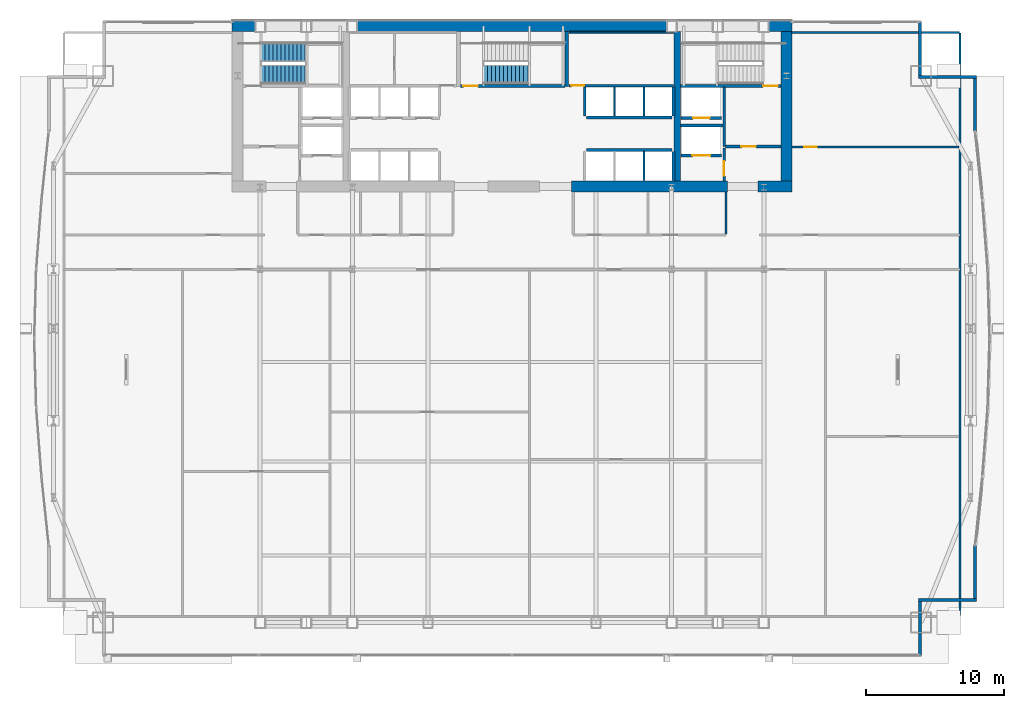
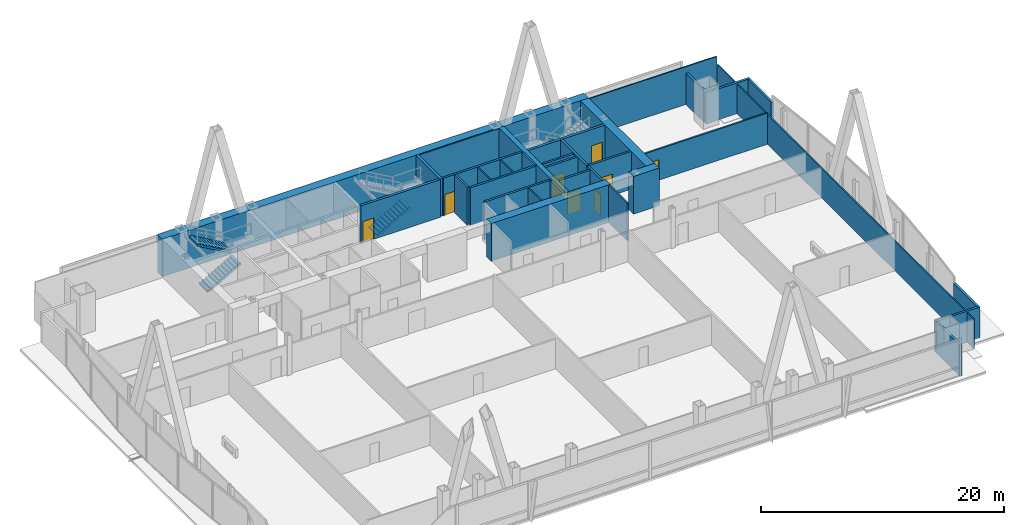
# One storey, part 29 of 32: 34 walls, 8 doors, 3 stair flights, 8 openings, 2 elements without a shape of their own.
"""IFC4 building model written with IfcOpenShell, lengths in metres."""

from ifc_helpers import new_model, si_unit, direction, frame, frame_2d, origin, place, context, subcontext, project, spatial, polyline, rectangle, outline, extrude, material, layer, layer_set, type_object, element, fill, aggregate, save


model = new_model("IFC4")

# Units and contexts
model_context = context("Model", 3, precision=1e-05, world=origin(), true_north=direction((0.0, 1.0)))
body_context = subcontext(model_context, "Body", "Model", "MODEL_VIEW")
ifc_project = project(units=[si_unit("LENGTHUNIT", "METRE"), si_unit("AREAUNIT", "SQUARE_METRE"), si_unit("VOLUMEUNIT", "CUBIC_METRE"), si_unit("PLANEANGLEUNIT", "RADIAN"), si_unit("MASSUNIT", "GRAM", prefix="KILO")], contexts=[model_context])

# Site, building, storey
site_placement = place(None, origin())
site = spatial("IfcSite", under=ifc_project, at=site_placement, CompositionType="ELEMENT")
building_placement = place(site_placement, origin())
building = spatial("IfcBuilding", under=site, at=building_placement, Name="Khoronbel Lancet Exchange", CompositionType="ELEMENT")
storey_placement = place(building_placement, frame((0.0, 0.0, 81.800048828125)))
storey = spatial("IfcBuildingStorey", under=building, at=storey_placement, Name="L19", CompositionType="ELEMENT", Elevation=81.800048828125)

# Walls
ifc_material_1 = material(Name="Concrete C80/95", Category="concrete")
ifc_layer_1 = layer(ifc_material_1, 0.800048828125, Name="Concrete C80/95")
ifc_layer_set_1 = layer_set([ifc_layer_1], Name="Concrete C80/95")
wall_type_1 = type_object("IfcWallType", Name="WL-CW1", PredefinedType="SHEAR", material=ifc_layer_set_1)
wall_1_placement = place(storey_placement, frame((16.199951171875, 53.300048828125, 0.0), z_axis=(0.0, 0.0, 1.0), x_axis=(1.0, 0.0, 0.0)))
element("IfcWall", 1, at=wall_1_placement, inside=storey, type_object=wall_type_1, Name="Level L19 rear core north shear wall", PredefinedType="SHEAR", context=body_context, shape_type="SweptSolid", body=[
    extrude(rectangle(XDim=40.5, YDim=0.800048828125, at=frame_2d((20.25, 0.0))), origin(), (0.0, 0.0, 1.0), 3.780029296875),
])
wall_2_placement = place(storey_placement, frame((56.300048828125, 52.89990234375, 0.0), z_axis=(0.0, 0.0, 1.0), x_axis=(0.0, -1.0, 0.0)))
element("IfcWall", 2, at=wall_2_placement, inside=storey, type_object=wall_type_1, Name="Level L19 rear core east shear wall", PredefinedType="SHEAR", context=body_context, shape_type="SweptSolid", body=[
    extrude(rectangle(XDim=10.7998046875, YDim=0.800048828125, at=frame_2d((5.39990234375, 0.0))), origin(), (0.0, 0.0, 1.0), 3.780029296875),
])
wall_3_placement = place(storey_placement, frame((52.050048828125, 41.699951171875, 0.0), z_axis=(0.0, 0.0, 1.0), x_axis=(-1.0, 0.0, 0.0)))
element("IfcWall", 3, at=wall_3_placement, inside=storey, type_object=wall_type_1, Name="Level L19 rear core south shear wall pier P4", PredefinedType="SHEAR", context=body_context, shape_type="SweptSolid", body=[
    extrude(rectangle(XDim=11.300048828125, YDim=0.800048828125, at=frame_2d((5.64990234375, 0.0))), origin(), (0.0, 0.0, 1.0), 3.780029296875),
])
wall_4_placement = place(storey_placement, frame((56.699951171875, 41.699951171875, 0.0), z_axis=(0.0, 0.0, 1.0), x_axis=(-1.0, 0.0, 0.0)))
element("IfcWall", 4, at=wall_4_placement, inside=storey, type_object=wall_type_1, Name="Level L19 rear core south shear wall pier P5", PredefinedType="SHEAR", context=body_context, shape_type="SweptSolid", body=[
    extrude(rectangle(XDim=2.449951171875, YDim=0.800048828125, at=frame_2d((1.22509765625, 0.0))), origin(), (0.0, 0.0, 1.0), 3.780029296875),
])
ifc_material_2 = material(Name="Precast concrete C40/50", Category="concrete")
ifc_layer_2 = layer(ifc_material_2, 0.25, Name="Precast concrete C40/50")
ifc_layer_set_2 = layer_set([ifc_layer_2], Name="Precast concrete C40/50")
wall_type_2 = type_object("IfcWallType", Name="WL-EXT250", PredefinedType="SOLIDWALL", material=ifc_layer_set_2)
wall_5_placement = place(storey_placement, frame((65.9599609375, 53.6298828125, 0.0), z_axis=(0.0, 0.0, 1.0), x_axis=(0.0, -1.0, 0.0)))
element("IfcWall", 5, at=wall_5_placement, inside=storey, type_object=wall_type_2, Name="Level L19 notched-corner limestone pier 14", PredefinedType="SOLIDWALL", context=body_context, shape_type="SweptSolid", body=[
    extrude(rectangle(XDim=3.909912109375, YDim=0.219970703125, at=frame_2d((1.955078125, 0.0))), origin(), (0.0, 0.0, 1.0), 3.119873046875),
])
wall_6_placement = place(storey_placement, frame((65.85009765625, 49.610107421875, 0.0), z_axis=(0.0, 0.0, 1.0), x_axis=(1.0, 0.0, 0.0)))
element("IfcWall", 6, at=wall_6_placement, inside=storey, type_object=wall_type_2, Name="Level L19 notched-corner limestone pier 15", PredefinedType="SOLIDWALL", context=body_context, shape_type="SweptSolid", body=[
    extrude(rectangle(XDim=4.219970703125, YDim=0.219970703125, at=frame_2d((2.10986328125, 0.0))), origin(), (0.0, 0.0, 1.0), 3.119873046875),
])
for number, where, z_axis, x_axis, name in (
    (7, (69.9599609375, 49.5, 0.0), (0.0, 0.0, 1.0), (0.0, -1.0, 0.0), "Level L19 notched-corner limestone pier 16"),
    (8, (69.9599609375, 15.724609375, 0.0), (0.0, 0.0, 1.0), (0.0, -1.0, 0.0), "Level L19 notched-corner limestone pier 23"),
):
    element("IfcWall", number, at=place(storey_placement, frame(where, z_axis=z_axis, x_axis=x_axis)), inside=storey, type_object=wall_type_2, Name=name, PredefinedType="SOLIDWALL", context=body_context, shape_type="SweptSolid", body=[
        extrude(rectangle(XDim=3.82470703125, YDim=0.219970703125, at=frame_2d((1.912353515625, 0.0))), origin(), (0.0, 0.0, 1.0), 3.119873046875),
    ])
wall_7_placement = place(storey_placement, frame((70.070068359375, 11.7900390625, 0.0), z_axis=(0.0, 0.0, 1.0), x_axis=(-1.0, 0.0, 0.0)))
element("IfcWall", 9, at=wall_7_placement, inside=storey, type_object=wall_type_2, Name="Level L19 notched-corner limestone pier 24", PredefinedType="SOLIDWALL", context=body_context, shape_type="SweptSolid", body=[
    extrude(rectangle(XDim=4.219970703125, YDim=0.219970703125, at=frame_2d((2.10986328125, 0.0))), origin(), (0.0, 0.0, 1.0), 3.119873046875),
])
wall_8_placement = place(storey_placement, frame((65.9599609375, 11.679931640625, 0.0), z_axis=(0.0, 0.0, 1.0), x_axis=(0.0, -1.0, 0.0)))
element("IfcWall", 10, at=wall_8_placement, inside=storey, type_object=wall_type_2, Name="Level L19 notched-corner limestone pier 25", PredefinedType="SOLIDWALL", context=body_context, shape_type="SweptSolid", body=[
    extrude(rectangle(XDim=3.909912109375, YDim=0.219970703125, at=frame_2d((1.955078125, 0.0))), origin(), (0.0, 0.0, 1.0), 3.119873046875),
])
ifc_material_3 = material(Name="Acoustic Metal-Stud & Mineral-Wool Gypsum Partition 120 mm", Category="gypsum")
ifc_layer_3 = layer(ifc_material_3, 0.1201171875, Name="Acoustic Metal-Stud & Mineral-Wool Gypsum Partition 120 mm")
ifc_layer_set_3 = layer_set([ifc_layer_3], Name="Acoustic Metal-Stud & Mineral-Wool Gypsum Partition 120 mm")
wall_type_3 = type_object("IfcWallType", Name="WL-PRT120", PredefinedType="PARTITIONING", material=ifc_layer_set_3)
wall_9_placement = place(storey_placement, frame((51.949951171875, 38.280029296875, 0.0), z_axis=(0.0, 0.0, 1.0), x_axis=(0.0, 1.0, 0.0)))
element("IfcWall", 11, at=wall_9_placement, inside=storey, type_object=wall_type_3, Name="Level L19 interior partition PW-NP-1", PredefinedType="PARTITIONING", context=body_context, shape_type="SweptSolid", body=[
    extrude(rectangle(XDim=3.02001953125, YDim=0.14990234375, at=frame_2d((1.510009765625, 0.0))), origin(), (0.0, 0.0, 1.0), 3.780029296875),
])

# Wall, opening, door
wall_10_placement = place(storey_placement, frame((56.699951171875, 44.56005859375, 0.0), z_axis=(0.0, 0.0, 1.0), x_axis=(1.0, 0.0, 0.0)))
wall_10 = element("IfcWall", 12, at=wall_10_placement, inside=storey, type_object=wall_type_3, Name="Level L19 interior partition PW-NE-H", PredefinedType="PARTITIONING", context=body_context, shape_type="SweptSolid", body=[
    extrude(rectangle(XDim=12.10498046875, YDim=0.14990234375, at=frame_2d((6.052490234375, 0.0))), origin(), (0.0, 0.0, 1.0), 3.119873046875),
])
opening_1_placement = place(wall_10_placement, frame((0.89990234375, 0.0, 0.0)))
opening_1 = element("IfcOpeningElement", 13, at=opening_1_placement, cuts=wall_10, Name="Opening D5", PredefinedType="OPENING", context=body_context, shape_type="SweptSolid", body=[
    extrude(rectangle(XDim=0.89990234375, YDim=2.050048828125, at=frame_2d((0.449951171875, 1.02490234375))), frame((0.0, 0.0849609375, 0.0), z_axis=(0.0, -1.0, 0.0), x_axis=(1.0, 0.0, 0.0)), (0.0, 0.0, 1.0), 0.169921875),
])
ifc_material_4 = material(Name="Acoustic Timber Pantry & Support Door", Category="wood")
door_type_1 = type_object("IfcDoorType", Name="DR-D5", OperationType="NOTDEFINED", PredefinedType="DOOR", material=ifc_material_4)
door_1_placement = place(opening_1_placement, origin())
door_1 = element("IfcDoor", 14, at=door_1_placement, inside=storey, type_object=door_type_1, Name="NE north room door L19-1", OperationType="SINGLE_SWING_RIGHT", OverallHeight=2.050048828125, OverallWidth=0.89990234375, PredefinedType="DOOR", context=body_context, shape_type="SweptSolid", body=[
    extrude(rectangle(XDim=0.89990234375, YDim=2.050048828125, at=frame_2d((0.449951171875, 1.02490234375))), frame((0.0, 0.02490234375, 0.0), z_axis=(0.0, -1.0, 0.0), x_axis=(1.0, 0.0, 0.0)), (0.0, 0.0, 1.0), 0.050048828125),
])
fill(opening_1, door_1)

# Walls
wall_11_placement = place(storey_placement, frame((68.8701171875, 10.6650390625, 0.0), z_axis=(0.0, 0.0, 1.0), x_axis=(0.0, 1.0, 0.0)))
element("IfcWall", 15, at=wall_11_placement, inside=storey, type_object=wall_type_3, Name="Level L19 interior partition PW-LIN-E", PredefinedType="PARTITIONING", context=body_context, shape_type="SweptSolid", body=[
    extrude(rectangle(XDim=42.10986328125, YDim=0.1201171875, at=frame_2d((21.054931640625, 0.0))), origin(), (0.0, 0.0, 1.0), 2.969970703125),
])
wall_12_placement = place(storey_placement, frame((56.699951171875, 52.840087890625, 0.0), z_axis=(0.0, 0.0, 1.0), x_axis=(1.0, 0.0, 0.0)))
element("IfcWall", 16, at=wall_12_placement, inside=storey, type_object=wall_type_3, Name="Level L19 interior partition PW-LIN-NE", PredefinedType="PARTITIONING", context=body_context, shape_type="SweptSolid", body=[
    extrude(rectangle(XDim=12.10498046875, YDim=0.1201171875, at=frame_2d((6.052490234375, 0.0))), origin(), (0.0, 0.0, 1.0), 3.780029296875),
])
ifc_material_5 = material(Name="Fire-Rated Metal-Stud & Mineral-Wool Gypsum Partition 120 mm", Category="gypsum")
ifc_layer_4 = layer(ifc_material_5, 0.1201171875, Name="Fire-Rated Metal-Stud & Mineral-Wool Gypsum Partition 120 mm")
ifc_layer_set_4 = layer_set([ifc_layer_4], Name="Fire-Rated Metal-Stud & Mineral-Wool Gypsum Partition 120 mm")
wall_type_4 = type_object("IfcWallType", Name="WL-PRT120F", PredefinedType="PARTITIONING", material=ifc_layer_set_4)
for number, where, z_axis, x_axis, name in (
    (17, (43.860107421875, 46.804931640625, 0.0), (0.0, 0.0, 1.0), (0.0, 1.0, 0.0), "Level L19 interior partition CW-PH-D1"),
    (18, (46.0, 46.804931640625, 0.0), (0.0, 0.0, 1.0), (0.0, 1.0, 0.0), "Level L19 interior partition CW-PH-D2"),
):
    element("IfcWall", number, at=place(storey_placement, frame(where, z_axis=z_axis, x_axis=x_axis)), inside=storey, type_object=wall_type_4, Name=name, PredefinedType="PARTITIONING", context=body_context, shape_type="SweptSolid", body=[
        extrude(rectangle(XDim=2.090087890625, YDim=0.1201171875, at=frame_2d((1.044921875, 0.0))), origin(), (0.0, 0.0, 1.0), 3.780029296875),
    ])
wall_13_placement = place(storey_placement, frame((46.0, 42.14990234375, 0.0), z_axis=(0.0, 0.0, 1.0), x_axis=(0.0, 1.0, 0.0)))
element("IfcWall", 19, at=wall_13_placement, inside=storey, type_object=wall_type_4, Name="Level L19 interior partition CW-PX-D2", PredefinedType="PARTITIONING", context=body_context, shape_type="SweptSolid", body=[
    extrude(rectangle(XDim=2.09521484375, YDim=0.1201171875, at=frame_2d((1.047607421875, 0.0))), origin(), (0.0, 0.0, 1.0), 3.780029296875),
])
wall_14_placement = place(storey_placement, frame((40.580078125, 52.860107421875, 0.0), z_axis=(0.0, 0.0, 1.0), x_axis=(1.0, 0.0, 0.0)))
element("IfcWall", 20, at=wall_14_placement, inside=storey, type_object=wall_type_4, Name="Level L19 interior partition CW-SUP-NE-N", PredefinedType="PARTITIONING", context=body_context, shape_type="SweptSolid", body=[
    extrude(rectangle(XDim=7.559814453125, YDim=0.1201171875, at=frame_2d((3.77978515625, 0.0))), origin(), (0.0, 0.0, 1.0), 3.780029296875),
])

# Wall, opening, door
ifc_material_6 = material(Name="Autoclaved Aerated Concrete Blockwork 200 mm", Category="masonry")
ifc_layer_5 = layer(ifc_material_6, 0.199951171875, Name="Autoclaved Aerated Concrete Blockwork 200 mm")
ifc_layer_set_5 = layer_set([ifc_layer_5], Name="Autoclaved Aerated Concrete Blockwork 200 mm")
wall_type_5 = type_object("IfcWallType", Name="WL-PRT200", PredefinedType="PARTITIONING", material=ifc_layer_set_5)
wall_15_placement = place(storey_placement, frame((51.610107421875, 43.949951171875, 0.0), z_axis=(0.0, 0.0, 1.0), x_axis=(-1.0, 0.0, 0.0)))
wall_15 = element("IfcWall", 21, at=wall_15_placement, inside=storey, type_object=wall_type_5, Name="Level L19 elevator hoistway landing front wall SVLE", PredefinedType="PARTITIONING", context=body_context, shape_type="SweptSolid", body=[
    extrude(rectangle(XDim=2.920166015625, YDim=0.199951171875, at=frame_2d((1.4599609375, 0.0))), origin(), (0.0, 0.0, 1.0), 3.780029296875),
])
opening_2_placement = place(wall_15_placement, frame((0.81005859375, 0.0, 0.0)))
opening_2 = element("IfcOpeningElement", 22, at=opening_2_placement, cuts=wall_15, Name="Opening LD-SVL2", PredefinedType="OPENING", context=body_context, shape_type="SweptSolid", body=[
    extrude(rectangle(XDim=1.300048828125, YDim=2.179931640625, at=frame_2d((0.64990234375, 1.08984375))), frame((0.0, 0.10986328125, 0.0), z_axis=(0.0, -1.0, 0.0), x_axis=(1.0, 0.0, 0.0)), (0.0, 0.0, 1.0), 0.219970703125),
])
ifc_material_7 = material(Name="Heavy-Duty Bi-Parting Goods Lift Landing Door", Category="steel")
door_type_2 = type_object("IfcDoorType", Name="DR-LD-SVL", OperationType="NOTDEFINED", PredefinedType="DOOR", material=ifc_material_7)
door_2_placement = place(opening_2_placement, origin())
door_2 = element("IfcDoor", 23, at=door_2_placement, inside=storey, type_object=door_type_2, Name="Elevator landing sliding door LD-SVL2 L19", OperationType="SLIDING_TO_LEFT", OverallHeight=2.179931640625, OverallWidth=1.300048828125, PredefinedType="DOOR", context=body_context, shape_type="SweptSolid", body=[
    extrude(rectangle(XDim=1.300048828125, YDim=2.179931640625, at=frame_2d((0.64990234375, 1.08984375))), frame((0.0, 0.02490234375, 0.0), z_axis=(0.0, -1.0, 0.0), x_axis=(1.0, 0.0, 0.0)), (0.0, 0.0, 1.0), 0.050048828125),
])
fill(opening_2, door_2)

wall_16_placement = place(storey_placement, frame((51.610107421875, 46.64990234375, 0.0), z_axis=(0.0, 0.0, 1.0), x_axis=(-1.0, 0.0, 0.0)))
wall_16 = element("IfcWall", 24, at=wall_16_placement, inside=storey, type_object=wall_type_5, Name="Level L19 elevator hoistway landing front wall FFLE", PredefinedType="PARTITIONING", context=body_context, shape_type="SweptSolid", body=[
    extrude(rectangle(XDim=2.920166015625, YDim=0.199951171875, at=frame_2d((1.4599609375, 0.0))), origin(), (0.0, 0.0, 1.0), 3.780029296875),
])
opening_3_placement = place(wall_16_placement, frame((0.860107421875, 0.0, 0.0)))
opening_3 = element("IfcOpeningElement", 25, at=opening_3_placement, cuts=wall_16, Name="Opening LD-FFL2", PredefinedType="OPENING", context=body_context, shape_type="SweptSolid", body=[
    extrude(rectangle(XDim=1.199951171875, YDim=2.179931640625, at=frame_2d((0.60009765625, 1.08984375))), frame((0.0, 0.10986328125, 0.0), z_axis=(0.0, -1.0, 0.0), x_axis=(1.0, 0.0, 0.0)), (0.0, 0.0, 1.0), 0.219970703125),
])
ifc_material_8 = material(Name="Fire-Rated Stainless Bi-Parting Firefighting Lift Door", Category="steel")
door_type_3 = type_object("IfcDoorType", Name="DR-LD-FFL", OperationType="NOTDEFINED", PredefinedType="DOOR", material=ifc_material_8)
door_3_placement = place(opening_3_placement, origin())
door_3 = element("IfcDoor", 26, at=door_3_placement, inside=storey, type_object=door_type_3, Name="Elevator landing sliding door LD-FFL2 L19", OperationType="SLIDING_TO_LEFT", OverallHeight=2.179931640625, OverallWidth=1.199951171875, PredefinedType="DOOR", context=body_context, shape_type="SweptSolid", body=[
    extrude(rectangle(XDim=1.199951171875, YDim=2.179931640625, at=frame_2d((0.60009765625, 1.08984375))), frame((0.0, 0.02490234375, 0.0), z_axis=(0.0, -1.0, 0.0), x_axis=(1.0, 0.0, 0.0)), (0.0, 0.0, 1.0), 0.050048828125),
])
fill(opening_3, door_3)

# Wall
wall_17_placement = place(storey_placement, frame((51.800048828125, 44.60009765625, 0.0), z_axis=(0.0, 0.0, 1.0), x_axis=(0.0, 1.0, 0.0)))
element("IfcWall", 27, at=wall_17_placement, inside=storey, type_object=wall_type_5, Name="Level L19 interior partition CW-FFLE-W", PredefinedType="PARTITIONING", context=body_context, shape_type="SweptSolid", body=[
    extrude(rectangle(XDim=4.2998046875, YDim=0.199951171875, at=frame_2d((2.14990234375, 0.0))), origin(), (0.0, 0.0, 1.0), 3.780029296875),
])

# Wall, opening, door
wall_18_placement = place(storey_placement, frame((51.89990234375, 44.60009765625, 0.0), z_axis=(0.0, 0.0, 1.0), x_axis=(1.0, 0.0, 0.0)))
wall_18 = element("IfcWall", 28, at=wall_18_placement, inside=storey, type_object=wall_type_5, Name="Level L19 interior partition CW-FFLE-S", PredefinedType="PARTITIONING", context=body_context, shape_type="SweptSolid", body=[
    extrude(rectangle(XDim=4.0, YDim=0.199951171875, at=frame_2d((2.0, 0.0))), origin(), (0.0, 0.0, 1.0), 3.780029296875),
])
opening_4_placement = place(wall_18_placement, frame((1.14990234375, 0.0, 0.0)))
opening_4 = element("IfcOpeningElement", 29, at=opening_4_placement, cuts=wall_18, Name="Opening FD1", PredefinedType="OPENING", context=body_context, shape_type="SweptSolid", body=[
    extrude(rectangle(XDim=1.050048828125, YDim=2.14990234375, at=frame_2d((0.52490234375, 1.074951171875))), frame((0.0, 0.10986328125, 0.0), z_axis=(0.0, -1.0, 0.0), x_axis=(1.0, 0.0, 0.0)), (0.0, 0.0, 1.0), 0.219970703125),
])
ifc_material_9 = material(Name="Fire-Rated Painted Steel Door Assembly", Category="steel")
door_type_4 = type_object("IfcDoorType", Name="DR-FD1", OperationType="NOTDEFINED", PredefinedType="DOOR", material=ifc_material_9)
door_4_placement = place(opening_4_placement, origin())
door_4 = element("IfcDoor", 30, at=door_4_placement, inside=storey, type_object=door_type_4, Name="East firefighting lobby FD90S door L19-1", OperationType="SINGLE_SWING_LEFT", OverallHeight=2.14990234375, OverallWidth=1.050048828125, PredefinedType="DOOR", context=body_context, shape_type="SweptSolid", body=[
    extrude(rectangle(XDim=1.050048828125, YDim=2.14990234375, at=frame_2d((0.52490234375, 1.074951171875))), frame((0.0, 0.02490234375, 0.0), z_axis=(0.0, -1.0, 0.0), x_axis=(1.0, 0.0, 0.0)), (0.0, 0.0, 1.0), 0.050048828125),
])
fill(opening_4, door_4)

# Wall
wall_19_placement = place(storey_placement, frame((48.6298828125, 46.1201171875, 0.0), z_axis=(0.0, 0.0, 1.0), x_axis=(1.0, 0.0, 0.0)))
element("IfcWall", 31, at=wall_19_placement, inside=storey, type_object=wall_type_5, Name="Level L19 interior partition CW-FFL2-S", PredefinedType="PARTITIONING", context=body_context, shape_type="SweptSolid", body=[
    extrude(rectangle(XDim=3.070068359375, YDim=0.199951171875, at=frame_2d((1.53515625, 0.0))), origin(), (0.0, 0.0, 1.0), 3.780029296875),
])

# Wall, opening, door
wall_20_placement = place(storey_placement, frame((51.800048828125, 42.10009765625, 0.0), z_axis=(0.0, 0.0, 1.0), x_axis=(0.0, 1.0, 0.0)))
wall_20 = element("IfcWall", 32, at=wall_20_placement, inside=storey, type_object=wall_type_5, Name="Level L19 interior partition CW-SVLE-E", PredefinedType="PARTITIONING", context=body_context, shape_type="SweptSolid", body=[
    extrude(rectangle(XDim=2.39501953125, YDim=0.199951171875, at=frame_2d((1.197509765625, 0.0))), origin(), (0.0, 0.0, 1.0), 3.780029296875),
])
opening_5_placement = place(wall_20_placement, frame((0.3798828125, 0.0, 0.0)))
opening_5 = element("IfcOpeningElement", 33, at=opening_5_placement, cuts=wall_20, Name="Opening FD1", PredefinedType="OPENING", context=body_context, shape_type="SweptSolid", body=[
    extrude(rectangle(XDim=1.050048828125, YDim=2.14990234375, at=frame_2d((0.52490234375, 1.074951171875))), frame((0.0, 0.10986328125, 0.0), z_axis=(0.0, -1.0, 0.0), x_axis=(1.0, 0.0, 0.0)), (0.0, 0.0, 1.0), 0.219970703125),
])
door_5_placement = place(opening_5_placement, origin())
door_5 = element("IfcDoor", 34, at=door_5_placement, inside=storey, type_object=door_type_4, Name="East service lift lobby door L19-1", OperationType="SINGLE_SWING_RIGHT", OverallHeight=2.14990234375, OverallWidth=1.050048828125, PredefinedType="DOOR", context=body_context, shape_type="SweptSolid", body=[
    extrude(rectangle(XDim=1.050048828125, YDim=2.14990234375, at=frame_2d((0.52490234375, 1.074951171875))), frame((0.0, 0.02490234375, 0.0), z_axis=(0.0, -1.0, 0.0), x_axis=(1.0, 0.0, 0.0)), (0.0, 0.0, 1.0), 0.050048828125),
])
fill(opening_5, door_5)

# Walls
wall_21_placement = place(storey_placement, frame((41.824951171875, 46.699951171875, 0.0), z_axis=(0.0, 0.0, 1.0), x_axis=(1.0, 0.0, 0.0)))
element("IfcWall", 35, at=wall_21_placement, inside=storey, type_object=wall_type_5, Name="Level L19 interior partition CW-PH-EXP", PredefinedType="PARTITIONING", context=body_context, shape_type="SweptSolid", body=[
    extrude(rectangle(XDim=6.2099609375, YDim=0.199951171875, at=frame_2d((3.10498046875, 0.0))), origin(), (0.0, 0.0, 1.0), 3.780029296875),
])
for number, where, z_axis, x_axis, name in (
    (36, (41.719970703125, 46.804931640625, 0.0), (0.0, 0.0, 1.0), (0.0, 1.0, 0.0), "Level L19 interior partition CW-PH-W"),
    (37, (48.139892578125, 46.804931640625, 0.0), (0.0, 0.0, 1.0), (0.0, 1.0, 0.0), "Level L19 interior partition CW-PH-E"),
):
    element("IfcWall", number, at=place(storey_placement, frame(where, z_axis=z_axis, x_axis=x_axis)), inside=storey, type_object=wall_type_5, Name=name, PredefinedType="PARTITIONING", context=body_context, shape_type="SweptSolid", body=[
        extrude(rectangle(XDim=2.090087890625, YDim=0.199951171875, at=frame_2d((1.044921875, 0.0))), origin(), (0.0, 0.0, 1.0), 3.780029296875),
    ])
wall_22_placement = place(storey_placement, frame((41.824951171875, 44.35009765625, 0.0), z_axis=(0.0, 0.0, 1.0), x_axis=(1.0, 0.0, 0.0)))
element("IfcWall", 38, at=wall_22_placement, inside=storey, type_object=wall_type_5, Name="Level L19 interior partition CW-PX-EXP", PredefinedType="PARTITIONING", context=body_context, shape_type="SweptSolid", body=[
    extrude(rectangle(XDim=6.2099609375, YDim=0.199951171875, at=frame_2d((3.10498046875, 0.0))), origin(), (0.0, 0.0, 1.0), 3.780029296875),
])
wall_23_placement = place(storey_placement, frame((48.139892578125, 42.14990234375, 0.0), z_axis=(0.0, 0.0, 1.0), x_axis=(0.0, 1.0, 0.0)))
element("IfcWall", 39, at=wall_23_placement, inside=storey, type_object=wall_type_5, Name="Level L19 interior partition CW-PX-E", PredefinedType="PARTITIONING", context=body_context, shape_type="SweptSolid", body=[
    extrude(rectangle(XDim=2.09521484375, YDim=0.199951171875, at=frame_2d((1.047607421875, 0.0))), origin(), (0.0, 0.0, 1.0), 3.780029296875),
])

# Wall, opening, door
wall_24_placement = place(storey_placement, frame((40.580078125, 49.0, 0.0), z_axis=(0.0, 0.0, 1.0), x_axis=(1.0, 0.0, 0.0)))
wall_24 = element("IfcWall", 40, at=wall_24_placement, inside=storey, type_object=wall_type_5, Name="Level L19 interior partition CW-SUP-NE-S", PredefinedType="PARTITIONING", context=body_context, shape_type="SweptSolid", body=[
    extrude(rectangle(XDim=7.559814453125, YDim=0.199951171875, at=frame_2d((3.77978515625, 0.0))), origin(), (0.0, 0.0, 1.0), 3.780029296875),
])
opening_6_placement = place(wall_24_placement, frame((0.159912109375, 0.0, 0.0)))
opening_6 = element("IfcOpeningElement", 41, at=opening_6_placement, cuts=wall_24, Name="Opening FD3", PredefinedType="OPENING", context=body_context, shape_type="SweptSolid", body=[
    extrude(rectangle(XDim=0.949951171875, YDim=2.10009765625, at=frame_2d((0.47509765625, 1.050048828125))), frame((0.0, 0.10986328125, 0.0), z_axis=(0.0, -1.0, 0.0), x_axis=(1.0, 0.0, 0.0)), (0.0, 0.0, 1.0), 0.219970703125),
])
ifc_material_10 = material(Name="Fire-Rated Steel Plant & Riser Door Assembly", Category="steel")
door_type_5 = type_object("IfcDoorType", Name="DR-FD3", OperationType="NOTDEFINED", PredefinedType="DOOR", material=ifc_material_10)
door_6_placement = place(opening_6_placement, origin())
door_6 = element("IfcDoor", 42, at=door_6_placement, inside=storey, type_object=door_type_5, Name="Core NE support room door L19-1", OperationType="SINGLE_SWING_LEFT", OverallHeight=2.10009765625, OverallWidth=0.949951171875, PredefinedType="DOOR", context=body_context, shape_type="SweptSolid", body=[
    extrude(rectangle(XDim=0.949951171875, YDim=2.10009765625, at=frame_2d((0.47509765625, 1.050048828125))), frame((0.0, 0.02490234375, 0.0), z_axis=(0.0, -1.0, 0.0), x_axis=(1.0, 0.0, 0.0)), (0.0, 0.0, 1.0), 0.050048828125),
])
fill(opening_6, door_6)

# Walls
ifc_layer_6 = layer(ifc_material_1, 0.449951171875, Name="Concrete C80/95")
ifc_layer_set_6 = layer_set([ifc_layer_6], Name="Concrete C80/95")
wall_type_6 = type_object("IfcWallType", Name="WL-SW1", PredefinedType="SHEAR", material=ifc_layer_set_6)
wall_25_placement = place(storey_placement, frame((48.39990234375, 42.10009765625, 0.0), z_axis=(0.0, 0.0, 1.0), x_axis=(0.0, 1.0, 0.0)))
element("IfcWall", 43, at=wall_25_placement, inside=storey, type_object=wall_type_6, Name="Level L19 rear core internal spine shear wall IE", PredefinedType="SHEAR", context=body_context, shape_type="SweptSolid", body=[
    extrude(rectangle(XDim=10.7998046875, YDim=0.449951171875, at=frame_2d((5.39990234375, 0.0))), origin(), (0.0, 0.0, 1.0), 3.780029296875),
])
ifc_material_11 = material(Name="Concrete C60/75", Category="concrete")
ifc_layer_7 = layer(ifc_material_11, 0.260009765625, Name="Concrete C60/75")
ifc_layer_set_7 = layer_set([ifc_layer_7], Name="Concrete C60/75")
wall_type_7 = type_object("IfcWallType", Name="WL-SW3", PredefinedType="SHEAR", material=ifc_layer_set_7)
wall_26_placement = place(storey_placement, frame((40.419921875, 48.949951171875, 0.0), z_axis=(0.0, 0.0, 1.0), x_axis=(0.0, 1.0, 0.0)))
element("IfcWall", 44, at=wall_26_placement, inside=storey, type_object=wall_type_7, Name="Level L19 central stairwell structural shear wall ST3E", PredefinedType="SHEAR", context=body_context, shape_type="SweptSolid", body=[
    extrude(rectangle(XDim=3.949951171875, YDim=0.260009765625, at=frame_2d((1.97509765625, 0.0))), origin(), (0.0, 0.0, 1.0), 3.780029296875),
])

# Wall, opening, door
wall_27_placement = place(storey_placement, frame((48.6298828125, 48.97998046875, 0.0), z_axis=(0.0, 0.0, 1.0), x_axis=(1.0, 0.0, 0.0)))
wall_27 = element("IfcWall", 45, at=wall_27_placement, inside=storey, type_object=wall_type_7, Name="Level L19 east stairwell structural south wall", PredefinedType="SHEAR", context=body_context, shape_type="SweptSolid", body=[
    extrude(rectangle(XDim=7.27001953125, YDim=0.239990234375, at=frame_2d((3.635009765625, 0.0))), origin(), (0.0, 0.0, 1.0), 3.780029296875),
])
opening_7_placement = place(wall_27_placement, frame((6.0, 0.0, 0.0)))
opening_7 = element("IfcOpeningElement", 46, at=opening_7_placement, cuts=wall_27, Name="Opening SD1", PredefinedType="OPENING", context=body_context, shape_type="SweptSolid", body=[
    extrude(rectangle(XDim=1.050048828125, YDim=2.14990234375, at=frame_2d((0.52490234375, 1.074951171875))), frame((0.0, 0.1298828125, 0.0), z_axis=(0.0, -1.0, 0.0), x_axis=(1.0, 0.0, 0.0)), (0.0, 0.0, 1.0), 0.260009765625),
])
ifc_material_12 = material(Name="Fire-Rated Steel Stairwell Door Assembly", Category="steel")
door_type_6 = type_object("IfcDoorType", Name="DR-SD1", OperationType="NOTDEFINED", PredefinedType="DOOR", material=ifc_material_12)
door_7_placement = place(opening_7_placement, origin())
door_7 = element("IfcDoor", 47, at=door_7_placement, inside=storey, type_object=door_type_6, Name="Protected exit stair ST2 door L19", OperationType="SINGLE_SWING_RIGHT", OverallHeight=2.14990234375, OverallWidth=1.050048828125, PredefinedType="DOOR", context=body_context, shape_type="SweptSolid", body=[
    extrude(rectangle(XDim=1.050048828125, YDim=2.14990234375, at=frame_2d((0.52490234375, 1.074951171875))), frame((0.0, 0.02490234375, 0.0), z_axis=(0.0, -1.0, 0.0), x_axis=(1.0, 0.0, 0.0)), (0.0, 0.0, 1.0), 0.050048828125),
])
fill(opening_7, door_7)

wall_28_placement = place(storey_placement, frame((32.719970703125, 48.97998046875, 0.0), z_axis=(0.0, 0.0, 1.0), x_axis=(1.0, 0.0, 0.0)))
wall_28 = element("IfcWall", 48, at=wall_28_placement, inside=storey, type_object=wall_type_7, Name="Level L19 central stairwell structural south wall", PredefinedType="SHEAR", context=body_context, shape_type="SweptSolid", body=[
    extrude(rectangle(XDim=7.56005859375, YDim=0.239990234375, at=frame_2d((3.780029296875, 0.0))), origin(), (0.0, 0.0, 1.0), 3.780029296875),
])
opening_8_placement = place(wall_28_placement, frame((0.219970703125, 0.0, 0.0)))
opening_8 = element("IfcOpeningElement", 49, at=opening_8_placement, cuts=wall_28, Name="Opening SD1", PredefinedType="OPENING", context=body_context, shape_type="SweptSolid", body=[
    extrude(rectangle(XDim=1.050048828125, YDim=2.14990234375, at=frame_2d((0.52490234375, 1.074951171875))), frame((0.0, 0.1298828125, 0.0), z_axis=(0.0, -1.0, 0.0), x_axis=(1.0, 0.0, 0.0)), (0.0, 0.0, 1.0), 0.260009765625),
])
door_8_placement = place(opening_8_placement, origin())
door_8 = element("IfcDoor", 50, at=door_8_placement, inside=storey, type_object=door_type_6, Name="Protected exit stair ST3 door L19", OperationType="SINGLE_SWING_LEFT", OverallHeight=2.14990234375, OverallWidth=1.050048828125, PredefinedType="DOOR", context=body_context, shape_type="SweptSolid", body=[
    extrude(rectangle(XDim=1.050048828125, YDim=2.14990234375, at=frame_2d((0.52490234375, 1.074951171875))), frame((0.0, 0.02490234375, 0.0), z_axis=(0.0, -1.0, 0.0), x_axis=(1.0, 0.0, 0.0)), (0.0, 0.0, 1.0), 0.050048828125),
])
fill(opening_8, door_8)

# Stair, stair flights
ifc_material_13 = material(Name="Concrete C40/50", Category="concrete")
stair_type = type_object("IfcStairType", Name="STR-CORE150", PredefinedType="HALF_TURN_STAIR", material=ifc_material_13)
stair_1_placement = place(storey_placement, origin())
stair_1 = element("IfcStair", 51, at=stair_1_placement, inside=storey, type_object=stair_type, Name="L19 Protected Exit Stair ST1", PredefinedType="HALF_TURN_STAIR")
stair_flight_type = type_object("IfcStairFlightType", Name="STF-150", PredefinedType="STRAIGHT", material=ifc_material_13)
stair_flight_1_placement = place(storey_placement, frame((18.300048828125, 49.81005859375, 0.0), z_axis=(0.0, 0.0, 1.0), x_axis=(1.0, 0.0, 0.0)))
stair_flight_1 = element("IfcStairFlight", 52, at=stair_flight_1_placement, type_object=stair_flight_type, Name="ST1 flight 1", NumberOfRisers=12, NumberOfTreads=11, PredefinedType="STRAIGHT", RiserHeight=0.166666667, TreadLength=0.29, context=body_context, shape_type="SweptSolid", body=[
    extrude(outline(polyline([(0.0, 0.0), (0.0, 0.166748046875), (0.2900390625, 0.166748046875), (0.2900390625, 0.333251953125), (0.580078125, 0.333251953125), (0.580078125, 0.5), (0.8701171875, 0.5), (0.8701171875, 0.666748046875), (1.159912109375, 0.666748046875), (1.159912109375, 0.833251953125), (1.449951171875, 0.833251953125), (1.449951171875, 1.0), (1.739990234375, 1.0), (1.739990234375, 1.166748046875), (2.030029296875, 1.166748046875), (2.030029296875, 1.333251953125), (2.320068359375, 1.333251953125), (2.320068359375, 1.5), (2.610107421875, 1.5), (2.610107421875, 1.666748046875), (2.89990234375, 1.666748046875), (2.89990234375, 1.833251953125), (3.18994140625, 1.833251953125), (3.18994140625, 2.0), (3.18994140625, 1.660400390625), (0.30078125, 0.0), (0.0, 0.0)])), frame((0.0, 0.68994140625, 0.0), z_axis=(0.0, -1.0, 0.0), x_axis=(1.0, 0.0, 0.0)), (0.0, 0.0, 1.0), 1.3798828125),
])
stair_flight_2_placement = place(storey_placement, frame((21.489990234375, 51.409912109375, 2.0), z_axis=(0.0, 0.0, 1.0), x_axis=(-1.0, 0.0, 0.0)))
stair_flight_2 = element("IfcStairFlight", 53, at=stair_flight_2_placement, type_object=stair_flight_type, Name="ST1 flight 2", NumberOfRisers=12, NumberOfTreads=11, PredefinedType="STRAIGHT", RiserHeight=0.166666667, TreadLength=0.29, context=body_context, shape_type="SweptSolid", body=[
    extrude(outline(polyline([(0.0, 0.0), (0.0, 0.166748046875), (0.2900390625, 0.166748046875), (0.2900390625, 0.333251953125), (0.580078125, 0.333251953125), (0.580078125, 0.5), (0.8701171875, 0.5), (0.8701171875, 0.666748046875), (1.159912109375, 0.666748046875), (1.159912109375, 0.833251953125), (1.449951171875, 0.833251953125), (1.449951171875, 1.0), (1.739990234375, 1.0), (1.739990234375, 1.166748046875), (2.030029296875, 1.166748046875), (2.030029296875, 1.333251953125), (2.320068359375, 1.333251953125), (2.320068359375, 1.5), (2.610107421875, 1.5), (2.610107421875, 1.666748046875), (2.89990234375, 1.666748046875), (2.89990234375, 1.833251953125), (3.18994140625, 1.833251953125), (3.18994140625, 2.0), (3.18994140625, 1.660400390625), (0.30078125, 0.0), (0.0, 0.0)])), frame((0.0, 0.68994140625, 0.0), z_axis=(0.0, -1.0, 0.0), x_axis=(1.0, 0.0, 0.0)), (0.0, 0.0, 1.0), 1.3798828125),
])
aggregate(stair_1, [stair_flight_1, stair_flight_2])

# Stair, stair flight
stair_2_placement = place(storey_placement, origin())
stair_2 = element("IfcStair", 54, at=stair_2_placement, inside=storey, type_object=stair_type, Name="L19 Protected Exit Stair ST3", PredefinedType="HALF_TURN_STAIR")
stair_flight_3_placement = place(storey_placement, frame((34.39990234375, 49.81005859375, 0.0), z_axis=(0.0, 0.0, 1.0), x_axis=(1.0, 0.0, 0.0)))
stair_flight_3 = element("IfcStairFlight", 55, at=stair_flight_3_placement, type_object=stair_flight_type, Name="ST3 flight 1", NumberOfRisers=12, NumberOfTreads=11, PredefinedType="STRAIGHT", RiserHeight=0.166666667, TreadLength=0.29, context=body_context, shape_type="SweptSolid", body=[
    extrude(outline(polyline([(0.0, 0.0), (0.0, 0.166748046875), (0.2900390625, 0.166748046875), (0.2900390625, 0.333251953125), (0.580078125, 0.333251953125), (0.580078125, 0.5), (0.8701171875, 0.5), (0.8701171875, 0.666748046875), (1.159912109375, 0.666748046875), (1.159912109375, 0.833251953125), (1.449951171875, 0.833251953125), (1.449951171875, 1.0), (1.739990234375, 1.0), (1.739990234375, 1.166748046875), (2.030029296875, 1.166748046875), (2.030029296875, 1.333251953125), (2.320068359375, 1.333251953125), (2.320068359375, 1.5), (2.610107421875, 1.5), (2.610107421875, 1.666748046875), (2.89990234375, 1.666748046875), (2.89990234375, 1.833251953125), (3.18994140625, 1.833251953125), (3.18994140625, 2.0), (3.18994140625, 1.660400390625), (0.30078125, 0.0), (0.0, 0.0)])), frame((0.0, 0.68994140625, 0.0), z_axis=(0.0, -1.0, 0.0), x_axis=(1.0, 0.0, 0.0)), (0.0, 0.0, 1.0), 1.3798828125),
])
aggregate(stair_2, [stair_flight_3])

save(model, "model.ifc")
